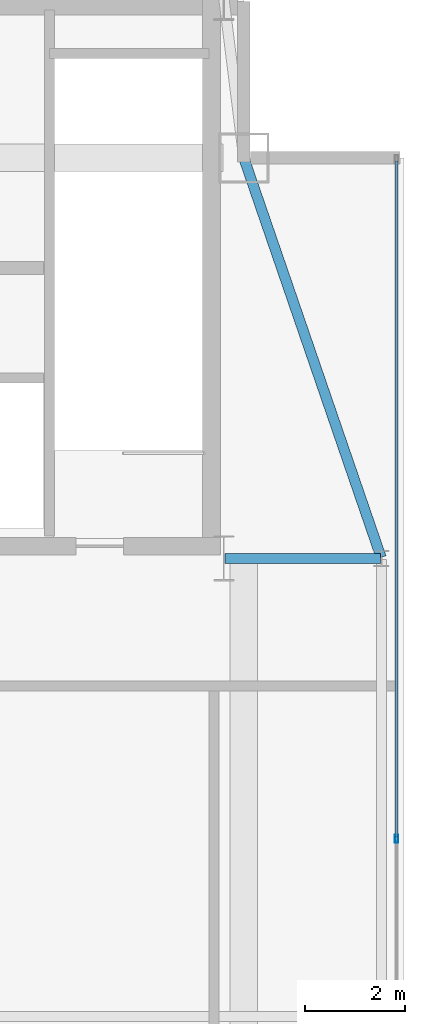
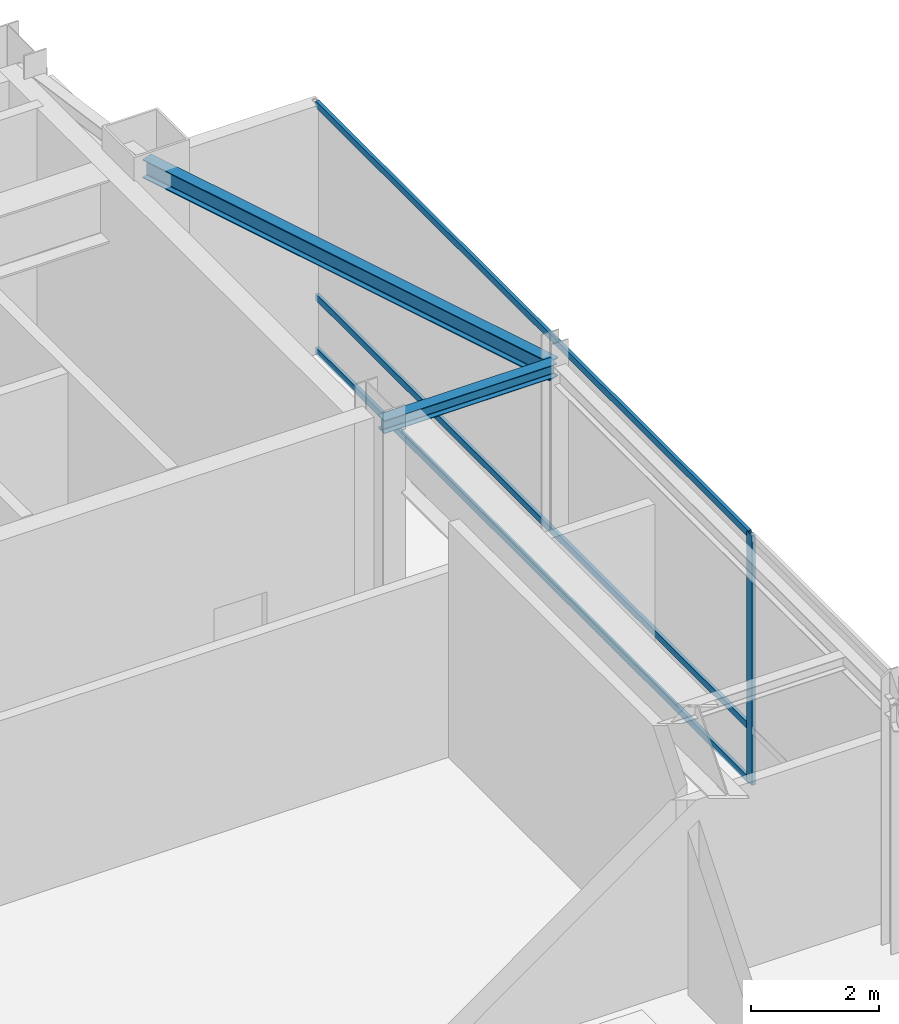
# One storey, part 16 of 20: 4 members, 2 beams, 1 element without a shape of its own.
"""IFC4 building model written with IfcOpenShell, lengths in metres."""

from ifc_helpers import new_model, si_unit, direction, frame, origin, origin_2d, place, context, subcontext, project, spatial, hollow_rectangle, i_section, extrude, source, transform, mapped, material, layer, layer_set, material_profile, profile_set, type_object, type_shapes, element, aggregate, save


model = new_model("IFC4")

# Units and contexts
model_context = context("Model", 3, precision=1e-05, world=origin(), true_north=direction((0.0, 1.0)))
body_context = subcontext(model_context, "Body", "Model", "MODEL_VIEW")
ifc_project = project(units=[si_unit("LENGTHUNIT", "METRE"), si_unit("AREAUNIT", "SQUARE_METRE"), si_unit("VOLUMEUNIT", "CUBIC_METRE"), si_unit("PLANEANGLEUNIT", "RADIAN"), si_unit("MASSUNIT", "GRAM", prefix="KILO")], contexts=[model_context])

# Site, building, storey
site_placement = place(None, origin())
site = spatial("IfcSite", under=ifc_project, at=site_placement, CompositionType="ELEMENT")
building_placement = place(site_placement, origin())
building = spatial("IfcBuilding", under=site, at=building_placement, Name="Varnel Quay Broadcast Tower", CompositionType="ELEMENT")
storey_placement = place(building_placement, frame((0.0, 0.0, 314.60009765625)))
storey = spatial("IfcBuildingStorey", under=building, at=storey_placement, Name="L78", CompositionType="ELEMENT", Elevation=314.60009765625)

# Beams
ifc_material_1 = material(Name="Structural Steel CSA G40.21 350W", Category="steel")
ifc_material_profile_1 = material_profile(ifc_material_1, i_section(OverallWidth=0.205078125, OverallDepth=0.35400390625, WebThickness=0.009521484375, FlangeThickness=0.016845703125, FilletRadius=0.012939453125, at=origin_2d()), Name="W360X79")
ifc_profile_set_1 = profile_set([ifc_material_profile_1], Name="Structural Steel CSA G40.21 350W")
beam_type_1 = type_object("IfcBeamType", Name="Beam_W360X79", PredefinedType="SPANDREL", material=ifc_profile_set_1)
shared_shape_1 = source(origin(), body_context, "Body", "SweptSolid", [
    extrude(i_section(OverallWidth=0.205078125, OverallDepth=0.35400390625, WebThickness=0.009521484375, FlangeThickness=0.016845703125, FilletRadius=0.012939453125, at=origin_2d()), origin(), (0.0, 0.0, 1.0), 8.41943359375),
])
type_shapes(beam_type_1, [shared_shape_1])
beam_1_placement = place(storey_placement, frame((55.54345703125, 35.618896484375, 4.572998046875), z_axis=(-0.325087062108, 0.945684092099, 0.0), x_axis=(-0.945684092099, -0.325087062108, 0.0)))
element("IfcBeam", 1, at=beam_1_placement, inside=storey, type_object=beam_type_1, Name="L78 East Spandrel TC-E2-MC-NE", PredefinedType="SPANDREL", context=body_context, shape_type="MappedRepresentation", body=[
    mapped(shared_shape_1, transform((0.0, 0.0, 0.0), x_axis=(1.0, 0.0, 0.0), y_axis=(0.0, 1.0, 0.0), z_axis=(0.0, 0.0, 1.0), scale=1.0)),
])
ifc_material_profile_2 = material_profile(ifc_material_1, i_section(OverallWidth=0.201904296875, OverallDepth=0.2470703125, WebThickness=0.00732421875, FlangeThickness=0.010986328125, FilletRadius=0.010986328125, at=origin_2d()), Name="W250X49")
ifc_profile_set_2 = profile_set([ifc_material_profile_2], Name="Structural Steel CSA G40.21 350W")
beam_type_2 = type_object("IfcBeamType", Name="Beam_W250X49", PredefinedType="JOIST", material=ifc_profile_set_2)
shared_shape_2 = source(origin(), body_context, "Body", "SweptSolid", [
    extrude(i_section(OverallWidth=0.201904296875, OverallDepth=0.2470703125, WebThickness=0.00732421875, FlangeThickness=0.010986328125, FilletRadius=0.010986328125, at=origin_2d()), origin(), (0.0, 0.0, 1.0), 3.110107421875),
])
type_shapes(beam_type_2, [shared_shape_2])
beam_2_placement = place(storey_placement, frame((52.419921875, 35.60009765625, 4.62646484375), z_axis=(1.0, 0.0, 0.0), x_axis=(0.0, 1.0, 0.0)))
element("IfcBeam", 2, at=beam_2_placement, inside=storey, type_object=beam_type_2, Name="L78 East Core Tie Joist", PredefinedType="JOIST", context=body_context, shape_type="MappedRepresentation", body=[
    mapped(shared_shape_2, transform((0.0, 0.0, 0.0), x_axis=(1.0, 0.0, 0.0), y_axis=(0.0, 1.0, 0.0), z_axis=(0.0, 0.0, 1.0), scale=1.0)),
])

# Curtain wall, members
ifc_material_2 = material(Name="Anodised Bronze Aluminium 6063-T6", Category="aluminium")
ifc_layer = layer(ifc_material_2, 0.18994140625, Name="Anodised Bronze Aluminium 6063-T6")
ifc_layer_set = layer_set([ifc_layer], Name="Anodised Bronze Aluminium 6063-T6")
curtain_wall_type = type_object("IfcCurtainWallType", Name="CW_UpperTower", PredefinedType="NOTDEFINED", material=ifc_layer_set)
curtain_wall_placement = place(storey_placement, origin())
curtain_wall = element("IfcCurtainWall", 3, at=curtain_wall_placement, inside=storey, type_object=curtain_wall_type, Name="L78 East Unitised Curtain Wall", PredefinedType="NOTDEFINED")
ifc_material_profile_3 = material_profile(ifc_material_2, hollow_rectangle(XDim=0.06005859375, YDim=0.125, WallThickness=0.0029296875, at=origin_2d()), Name="ALU60X125X3")
ifc_profile_set_3 = profile_set([ifc_material_profile_3], Name="Anodised Bronze Aluminium 6063-T6")
member_type_1 = type_object("IfcMemberType", Name="Tran_CWS-03", PredefinedType="USERDEFINED", material=ifc_profile_set_3)
shared_shape_3 = source(origin(), body_context, "Body", "SweptSolid", [
    extrude(hollow_rectangle(XDim=0.06005859375, YDim=0.125, WallThickness=0.0029296875, at=origin_2d()), origin(), (0.0, 0.0, 1.0), 13.50244140625),
])
type_shapes(member_type_1, [shared_shape_3])
member_1_placement = place(storey_placement, frame((55.85009765625, 30.032470703125, 0.02978515625), z_axis=(0.0, 1.0, 0.0), x_axis=(-1.0, 0.0, 0.0)))
member_1 = element("IfcMember", 4, at=member_1_placement, type_object=member_type_1, Name="CWS-03 transom 2.1", ObjectType="TRANSOM", PredefinedType="USERDEFINED", context=body_context, shape_type="MappedRepresentation", body=[
    mapped(shared_shape_3, transform((0.0, 0.0, 0.0), x_axis=(1.0, 0.0, 0.0), y_axis=(0.0, 1.0, 0.0), z_axis=(0.0, 0.0, 1.0), scale=1.0)),
])
member_2_placement = place(storey_placement, frame((55.85009765625, 30.032470703125, 1.0498046875), z_axis=(0.0, 1.0, 0.0), x_axis=(-1.0, 0.0, 0.0)))
member_2 = element("IfcMember", 5, at=member_2_placement, type_object=member_type_1, Name="CWS-03 transom 2.2", ObjectType="TRANSOM", PredefinedType="USERDEFINED", context=body_context, shape_type="MappedRepresentation", body=[
    mapped(shared_shape_3, transform((0.0, 0.0, 0.0), x_axis=(1.0, 0.0, 0.0), y_axis=(0.0, 1.0, 0.0), z_axis=(0.0, 0.0, 1.0), scale=1.0)),
])
member_3_placement = place(storey_placement, frame((55.85009765625, 30.032470703125, 4.719970703125), z_axis=(0.0, 1.0, 0.0), x_axis=(-1.0, 0.0, 0.0)))
member_3 = element("IfcMember", 6, at=member_3_placement, type_object=member_type_1, Name="CWS-03 transom 2.3", ObjectType="TRANSOM", PredefinedType="USERDEFINED", context=body_context, shape_type="MappedRepresentation", body=[
    mapped(shared_shape_3, transform((0.0, 0.0, 0.0), x_axis=(1.0, 0.0, 0.0), y_axis=(0.0, 1.0, 0.0), z_axis=(0.0, 0.0, 1.0), scale=1.0)),
])
ifc_material_profile_4 = material_profile(ifc_material_2, hollow_rectangle(XDim=0.06494140625, YDim=0.1650390625, WallThickness=0.00341796875, at=origin_2d()), Name="ALU65X165X3.5")
ifc_profile_set_4 = profile_set([ifc_material_profile_4], Name="Anodised Bronze Aluminium 6063-T6")
member_type_2 = type_object("IfcMemberType", Name="Mull_CWS-03", PredefinedType="MULLION", material=ifc_profile_set_4)
shared_shape_4 = source(origin(), body_context, "Body", "SweptSolid", [
    extrude(hollow_rectangle(XDim=0.06494140625, YDim=0.1650390625, WallThickness=0.00341796875, at=origin_2d()), origin(), (0.0, 0.0, 1.0), 4.75),
])
type_shapes(member_type_2, [shared_shape_4])
member_4_placement = place(storey_placement, frame((55.85009765625, 30.0, 0.0), z_axis=(0.0, 0.0, 1.0), x_axis=(-1.0, 0.0, 0.0)))
member_4 = element("IfcMember", 7, at=member_4_placement, type_object=member_type_2, Name="CWS-03 mullion 2", PredefinedType="MULLION", context=body_context, shape_type="MappedRepresentation", body=[
    mapped(shared_shape_4, transform((0.0, 0.0, 0.0), x_axis=(1.0, 0.0, 0.0), y_axis=(0.0, 1.0, 0.0), z_axis=(0.0, 0.0, 1.0), scale=1.0)),
])
aggregate(curtain_wall, [member_4, member_1, member_2, member_3])

save(model, "model.ifc")
